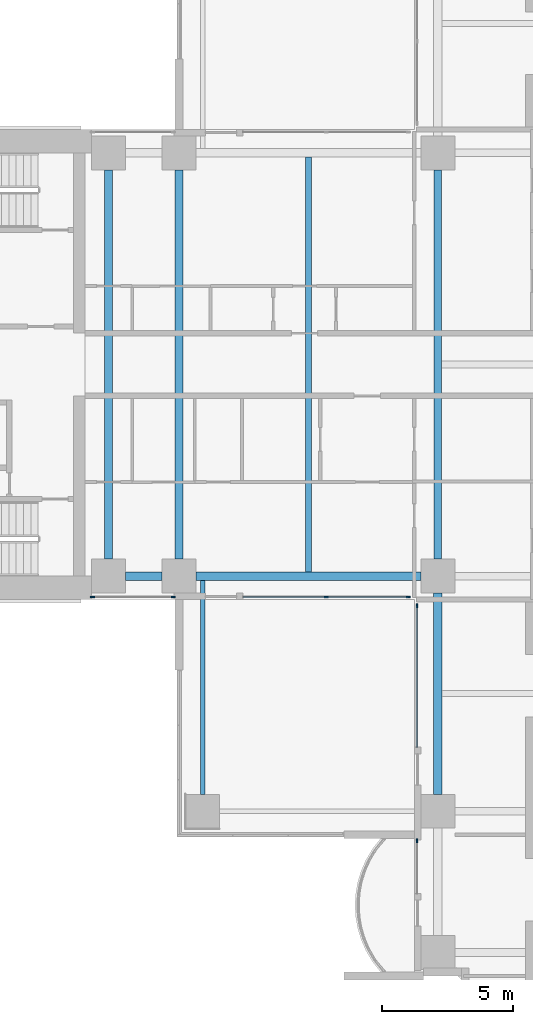
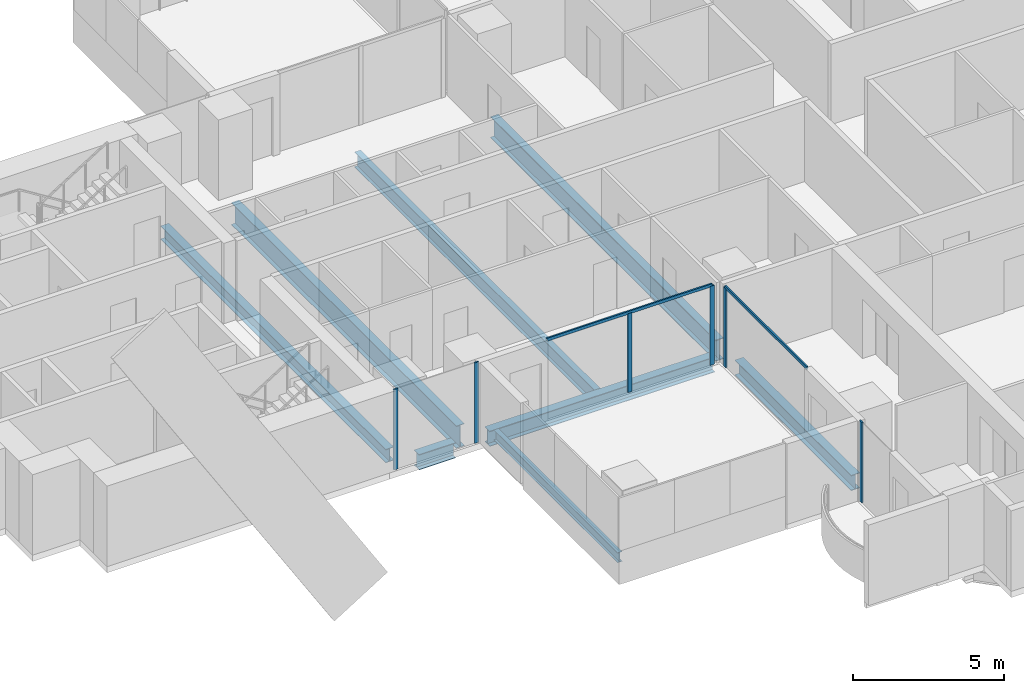
# One storey, part 2 of 22: 8 beams, 8 members, 4 elements without a shape of their own.
"""IFC4 building model written with IfcOpenShell, lengths in metres."""

from ifc_helpers import new_model, si_unit, direction, frame, origin, origin_2d, place, context, subcontext, project, spatial, rectangle, i_section, extrude, material, material_profile, profile_set, type_object, element, aggregate, save


model = new_model("IFC4")

# Units and contexts
model_context = context("Model", 3, precision=1e-05, world=origin(), true_north=direction((0.0, 1.0)))
body_context = subcontext(model_context, "Body", "Model", "MODEL_VIEW")
ifc_project = project(units=[si_unit("LENGTHUNIT", "METRE"), si_unit("AREAUNIT", "SQUARE_METRE"), si_unit("VOLUMEUNIT", "CUBIC_METRE"), si_unit("PLANEANGLEUNIT", "RADIAN"), si_unit("MASSUNIT", "GRAM", prefix="KILO")], contexts=[model_context])

# Site, building, storey
site_placement = place(None, origin())
site = spatial("IfcSite", under=ifc_project, at=site_placement, CompositionType="ELEMENT")
building_placement = place(site_placement, origin())
building = spatial("IfcBuilding", under=site, at=building_placement, Name="Perihelion Cross Residences", CompositionType="ELEMENT")
storey_placement = place(building_placement, frame((0.0, 0.0, 50.5)))
storey = spatial("IfcBuildingStorey", under=building, at=storey_placement, Name="L09", CompositionType="ELEMENT", Elevation=50.5)

# Curtain wall, members
ifc_material_1 = material(Name="Bronze anodised aluminium, tinted glazing", Category="aluminium")
curtain_wall_type = type_object("IfcCurtainWallType", Name="CW1", PredefinedType="NOTDEFINED", material=ifc_material_1)
curtain_wall_1_placement = place(storey_placement, origin())
curtain_wall_1 = element("IfcCurtainWall", 1, at=curtain_wall_1_placement, inside=storey, type_object=curtain_wall_type, Name="Curtain wall CW1 L09 west side south bay 1", PredefinedType="NOTDEFINED")
ifc_material_2 = material(Name="Bronze anodised aluminium", Category="aluminium")
ifc_material_profile_1 = material_profile(ifc_material_2, rectangle(XDim=0.06005859375, YDim=0.159912109375, at=origin_2d()), Name="CW1 mullion")
ifc_profile_set_1 = profile_set([ifc_material_profile_1], Name="Bronze anodised aluminium")
member_type_1 = type_object("IfcMemberType", Name="CW1 mullion", PredefinedType="MULLION", material=ifc_profile_set_1)
member_1_placement = place(storey_placement, frame((-21.320068359375, -8.89990234375, 0.0), z_axis=(0.0, 0.0, 1.0), x_axis=(0.0, 1.0, 0.0)))
member_1 = element("IfcMember", 2, at=member_1_placement, type_object=member_type_1, Name="CW1 mullion 1", PredefinedType="MULLION", context=body_context, shape_type="SweptSolid", body=[
    extrude(rectangle(XDim=0.06005859375, YDim=0.159912109375, at=origin_2d()), origin(), (0.0, 0.0, 1.0), 3.25),
])
member_2_placement = place(storey_placement, frame((-18.22998046875, -8.89990234375, 0.0), z_axis=(0.0, 0.0, 1.0), x_axis=(0.0, 1.0, 0.0)))
member_2 = element("IfcMember", 3, at=member_2_placement, type_object=member_type_1, Name="CW1 mullion 2", PredefinedType="MULLION", context=body_context, shape_type="SweptSolid", body=[
    extrude(rectangle(XDim=0.06005859375, YDim=0.159912109375, at=origin_2d()), origin(), (0.0, 0.0, 1.0), 3.25),
])
aggregate(curtain_wall_1, [member_1, member_2])

curtain_wall_2_placement = place(storey_placement, origin())
curtain_wall_2 = element("IfcCurtainWall", 4, at=curtain_wall_2_placement, inside=storey, type_object=curtain_wall_type, Name="Curtain wall CW1 L09 west side south bay 2", PredefinedType="NOTDEFINED")
member_3_placement = place(storey_placement, frame((-12.375, -8.89990234375, 0.0), z_axis=(0.0, 0.0, 1.0), x_axis=(0.0, 1.0, 0.0)))
member_3 = element("IfcMember", 5, at=member_3_placement, type_object=member_type_1, Name="CW1 mullion 2", PredefinedType="MULLION", context=body_context, shape_type="SweptSolid", body=[
    extrude(rectangle(XDim=0.06005859375, YDim=0.159912109375, at=origin_2d()), origin(), (0.0, 0.0, 1.0), 3.18994140625),
])
member_4_placement = place(storey_placement, frame((-9.22998046875, -8.89990234375, 0.0), z_axis=(0.0, 0.0, 1.0), x_axis=(0.0, 1.0, 0.0)))
member_4 = element("IfcMember", 6, at=member_4_placement, type_object=member_type_1, Name="CW1 mullion 3", PredefinedType="MULLION", context=body_context, shape_type="SweptSolid", body=[
    extrude(rectangle(XDim=0.06005859375, YDim=0.159912109375, at=origin_2d()), origin(), (0.0, 0.0, 1.0), 3.18994140625),
])

# Curtain wall, member
curtain_wall_3_placement = place(storey_placement, origin())
curtain_wall_3 = element("IfcCurtainWall", 7, at=curtain_wall_3_placement, inside=storey, type_object=curtain_wall_type, Name="Curtain wall CW1 L09 south side west bay 1", PredefinedType="NOTDEFINED")
member_5_placement = place(storey_placement, frame((-8.89990234375, -9.22998046875, 0.0), z_axis=(0.0, 0.0, 1.0), x_axis=(1.0, 0.0, 0.0)))
member_5 = element("IfcMember", 8, at=member_5_placement, type_object=member_type_1, Name="CW1 mullion 1", PredefinedType="MULLION", context=body_context, shape_type="SweptSolid", body=[
    extrude(rectangle(XDim=0.06005859375, YDim=0.159912109375, at=origin_2d()), origin(), (0.0, 0.0, 1.0), 3.18994140625),
])

curtain_wall_4_placement = place(storey_placement, origin())
curtain_wall_4 = element("IfcCurtainWall", 9, at=curtain_wall_4_placement, inside=storey, type_object=curtain_wall_type, Name="Curtain wall CW1 L09 south side west bay 2", PredefinedType="NOTDEFINED")
member_6_placement = place(storey_placement, frame((-8.89990234375, -18.22998046875, 0.0), z_axis=(0.0, 0.0, 1.0), x_axis=(1.0, 0.0, 0.0)))
member_6 = element("IfcMember", 10, at=member_6_placement, type_object=member_type_1, Name="CW1 mullion 1", PredefinedType="MULLION", context=body_context, shape_type="SweptSolid", body=[
    extrude(rectangle(XDim=0.06005859375, YDim=0.159912109375, at=origin_2d()), origin(), (0.0, 0.0, 1.0), 3.25),
])
aggregate(curtain_wall_4, [member_6])

# Member
ifc_material_3 = material(Name="Bronze anodised aluminium", Category="aluminium")
ifc_material_profile_2 = material_profile(ifc_material_3, rectangle(XDim=0.06005859375, YDim=0.1201171875, at=origin_2d()), Name="CW1 transom")
ifc_profile_set_2 = profile_set([ifc_material_profile_2], Name="Bronze anodised aluminium")
member_type_2 = type_object("IfcMemberType", Name="CW1 transom", PredefinedType="USERDEFINED", material=ifc_profile_set_2)
member_7_placement = place(storey_placement, frame((-15.550048828125, -8.89990234375, 3.219970703125), z_axis=(1.0, 0.0, 0.0), x_axis=(0.0, 1.0, 0.0)))
member_7 = element("IfcMember", 11, at=member_7_placement, type_object=member_type_2, Name="CW1 head transom", ObjectType="TRANSOM", PredefinedType="USERDEFINED", context=body_context, shape_type="SweptSolid", body=[
    extrude(rectangle(XDim=0.06005859375, YDim=0.1201171875, at=origin_2d()), origin(), (0.0, 0.0, 1.0), 6.320068359375),
])

aggregate(curtain_wall_2, [member_3, member_4, member_7])

member_8_placement = place(storey_placement, frame((-8.89990234375, -9.22998046875, 3.219970703125), z_axis=(0.0, -1.0, 0.0), x_axis=(1.0, 0.0, 0.0)))
member_8 = element("IfcMember", 12, at=member_8_placement, type_object=member_type_2, Name="CW1 head transom", ObjectType="TRANSOM", PredefinedType="USERDEFINED", context=body_context, shape_type="SweptSolid", body=[
    extrude(rectangle(XDim=0.06005859375, YDim=0.1201171875, at=origin_2d()), origin(), (0.0, 0.0, 1.0), 5.419921875),
])

aggregate(curtain_wall_3, [member_5, member_8])

# Beams
ifc_material_4 = material(Name="Steel S355", Category="steel")
ifc_material_profile_3 = material_profile(ifc_material_4, i_section(OverallWidth=0.177978515625, OverallDepth=0.406005859375, WebThickness=0.0078125, FlangeThickness=0.0126953125, at=origin_2d()), Name="W410x60")
ifc_profile_set_3 = profile_set([ifc_material_profile_3], Name="Steel S355")
beam_type_1 = type_object("IfcBeamType", Name="Core edge beam W410x60", PredefinedType="BEAM", material=ifc_profile_set_3)
beam_1_placement = place(storey_placement, frame((-17.10009765625, -8.262451171875, -0.452880859375), z_axis=(0.0, -1.0, 0.0), x_axis=(1.0, 0.0, 0.0)))
element("IfcBeam", 13, at=beam_1_placement, inside=storey, type_object=beam_type_1, Name="Core edge beam TB2 L09 corner no. 1", PredefinedType="BEAM", context=body_context, shape_type="SweptSolid", body=[
    extrude(i_section(OverallWidth=0.177978515625, OverallDepth=0.406005859375, WebThickness=0.0078125, FlangeThickness=0.0126953125, at=origin_2d()), origin(), (0.0, 0.0, 1.0), 8.1875),
])
ifc_material_5 = material(Name="Steel S355", Category="steel")
ifc_material_profile_4 = material_profile(ifc_material_5, i_section(OverallWidth=0.31201171875, OverallDepth=0.5439453125, WebThickness=0.0126953125, FlangeThickness=0.020263671875, at=origin_2d()), Name="W530x150")
ifc_profile_set_4 = profile_set([ifc_material_profile_4], Name="Steel S355")
beam_type_2 = type_object("IfcBeamType", Name="Core edge beam W530x150", PredefinedType="BEAM", material=ifc_profile_set_4)
beam_2_placement = place(storey_placement, frame((-20.699951171875, -7.449951171875, -0.52197265625), z_axis=(0.0, 1.0, 0.0), x_axis=(-1.0, 0.0, 0.0)))
element("IfcBeam", 14, at=beam_2_placement, inside=storey, type_object=beam_type_2, Name="Core edge beam TB4 L09 no. 1", PredefinedType="BEAM", context=body_context, shape_type="SweptSolid", body=[
    extrude(i_section(OverallWidth=0.31201171875, OverallDepth=0.5439453125, WebThickness=0.0126953125, FlangeThickness=0.020263671875, at=origin_2d()), origin(), (0.0, 0.0, 1.0), 14.89990234375),
])
ifc_material_6 = material(Name="Steel S355", Category="steel")
ifc_material_profile_5 = material_profile(ifc_material_6, i_section(OverallWidth=0.324951171875, OverallDepth=0.616943359375, WebThickness=0.013916015625, FlangeThickness=0.021484375, at=origin_2d()), Name="W610x174")
ifc_profile_set_5 = profile_set([ifc_material_profile_5], Name="Steel S355")
beam_type_3 = type_object("IfcBeamType", Name="Edge beam W610x174", PredefinedType="SPANDREL", material=ifc_profile_set_5)
beam_3_placement = place(storey_placement, frame((-20.050048828125, -8.10009765625, -0.55859375), z_axis=(1.0, 0.0, 0.0), x_axis=(0.0, 1.0, 0.0)))
element("IfcBeam", 15, at=beam_3_placement, inside=storey, type_object=beam_type_3, Name="Edge beam SB2 L09 no. 3", PredefinedType="SPANDREL", context=body_context, shape_type="SweptSolid", body=[
    extrude(i_section(OverallWidth=0.324951171875, OverallDepth=0.616943359375, WebThickness=0.013916015625, FlangeThickness=0.021484375, at=origin_2d()), origin(), (0.0, 0.0, 1.0), 1.400146484375),
])
beam_4_placement = place(storey_placement, frame((-17.35009765625, -8.10009765625, -0.55859375), z_axis=(1.0, 0.0, 0.0), x_axis=(0.0, 1.0, 0.0)))
element("IfcBeam", 16, at=beam_4_placement, inside=storey, type_object=beam_type_3, Name="Edge beam SB2 L09 no. 1", PredefinedType="SPANDREL", context=body_context, shape_type="SweptSolid", body=[
    extrude(i_section(OverallWidth=0.324951171875, OverallDepth=0.616943359375, WebThickness=0.013916015625, FlangeThickness=0.021484375, at=origin_2d()), origin(), (0.0, 0.0, 1.0), 8.60009765625),
])
beam_5_placement = place(storey_placement, frame((-8.10009765625, -8.75, -0.55859375), z_axis=(0.0, -1.0, 0.0), x_axis=(1.0, 0.0, 0.0)))
element("IfcBeam", 17, at=beam_5_placement, inside=storey, type_object=beam_type_3, Name="Edge beam SB2 L09 no. 6", PredefinedType="SPANDREL", context=body_context, shape_type="SweptSolid", body=[
    extrude(i_section(OverallWidth=0.324951171875, OverallDepth=0.616943359375, WebThickness=0.013916015625, FlangeThickness=0.021484375, at=origin_2d()), origin(), (0.0, 0.0, 1.0), 7.699951171875),
])
ifc_material_7 = material(Name="Steel S355", Category="steel")
ifc_material_profile_6 = material_profile(ifc_material_7, i_section(OverallWidth=0.304931640625, OverallDepth=0.904052734375, WebThickness=0.01513671875, FlangeThickness=0.02001953125, at=origin_2d()), Name="W920x201")
ifc_profile_set_6 = profile_set([ifc_material_profile_6], Name="Steel S355")
beam_type_4 = type_object("IfcBeamType", Name="Floor girder W920x201", PredefinedType="BEAM", material=ifc_profile_set_6)
beam_6_placement = place(storey_placement, frame((-18.0, -7.449951171875, -0.701904296875), z_axis=(0.0, 1.0, 0.0), x_axis=(-1.0, 0.0, 0.0)))
element("IfcBeam", 18, at=beam_6_placement, inside=storey, type_object=beam_type_4, Name="Girder G2 L09 no. 1", PredefinedType="BEAM", context=body_context, shape_type="SweptSolid", body=[
    extrude(i_section(OverallWidth=0.304931640625, OverallDepth=0.904052734375, WebThickness=0.01513671875, FlangeThickness=0.02001953125, at=origin_2d()), origin(), (0.0, 0.0, 1.0), 14.89990234375),
])
ifc_material_8 = material(Name="Steel S355", Category="steel")
ifc_material_profile_7 = material_profile(ifc_material_8, i_section(OverallWidth=0.22900390625, OverallDepth=0.612060546875, WebThickness=0.011962890625, FlangeThickness=0.01953125, at=origin_2d()), Name="W610x125")
ifc_profile_set_7 = profile_set([ifc_material_profile_7], Name="Steel S355")
beam_type_5 = type_object("IfcBeamType", Name="Floor joist W610x125", PredefinedType="JOIST", material=ifc_profile_set_7)
beam_7_placement = place(storey_placement, frame((-13.050048828125, -7.9375, -0.555908203125), z_axis=(0.0, 1.0, 0.0), x_axis=(-1.0, 0.0, 0.0)))
element("IfcBeam", 19, at=beam_7_placement, inside=storey, type_object=beam_type_5, Name="Joist J3 L09 no. 1", PredefinedType="JOIST", context=body_context, shape_type="SweptSolid", body=[
    extrude(i_section(OverallWidth=0.22900390625, OverallDepth=0.612060546875, WebThickness=0.011962890625, FlangeThickness=0.01953125, at=origin_2d()), origin(), (0.0, 0.0, 1.0), 15.875),
])
ifc_material_9 = material(Name="Steel S355", Category="steel")
ifc_material_profile_8 = material_profile(ifc_material_9, i_section(OverallWidth=0.2919921875, OverallDepth=0.85888671875, WebThickness=0.01708984375, FlangeThickness=0.031005859375, at=origin_2d()), Name="W840x251")
ifc_profile_set_8 = profile_set([ifc_material_profile_8], Name="Steel S355")
beam_type_6 = type_object("IfcBeamType", Name="Hub ring girder W840x251", PredefinedType="BEAM", material=ifc_profile_set_8)
beam_8_placement = place(storey_placement, frame((-8.10009765625, 7.449951171875, -0.679443359375), z_axis=(0.0, -1.0, 0.0), x_axis=(1.0, 0.0, 0.0)))
element("IfcBeam", 20, at=beam_8_placement, inside=storey, type_object=beam_type_6, Name="Hub ring girder RG2 L09 no. 2", PredefinedType="BEAM", context=body_context, shape_type="SweptSolid", body=[
    extrude(i_section(OverallWidth=0.2919921875, OverallDepth=0.85888671875, WebThickness=0.01708984375, FlangeThickness=0.031005859375, at=origin_2d()), origin(), (0.0, 0.0, 1.0), 14.89990234375),
])

save(model, "model.ifc")
